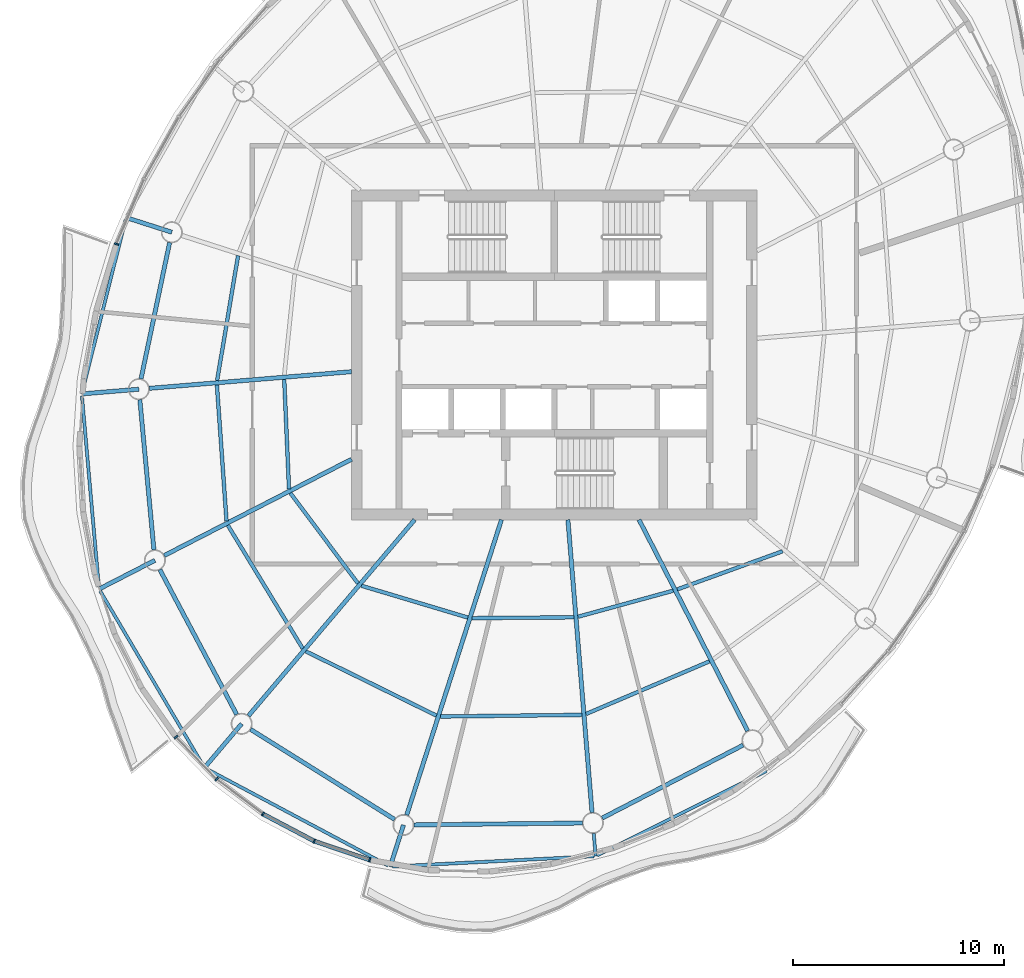
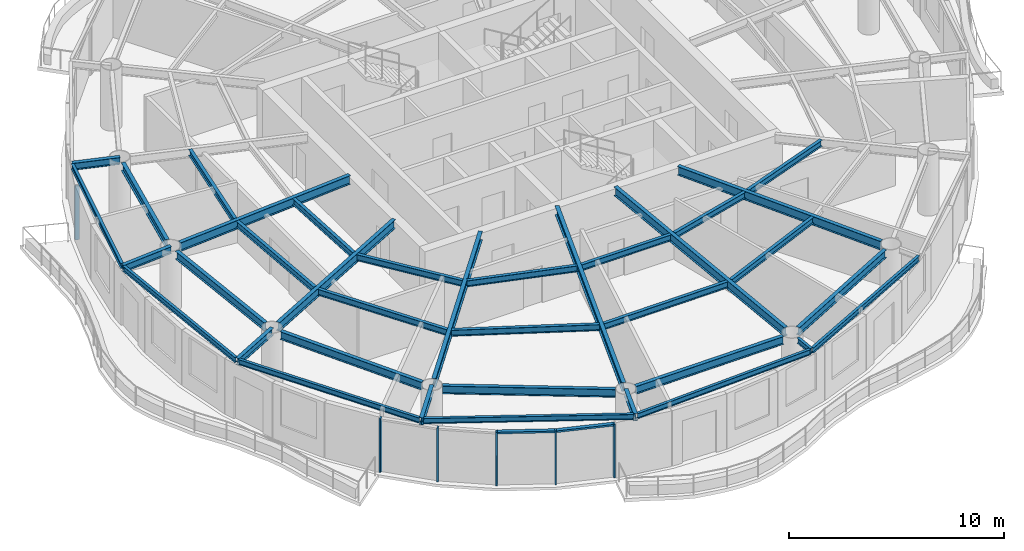
# One storey, part 2 of 14: 36 beams, 8 members, 5 elements without a shape of their own.
"""IFC4 building model written with IfcOpenShell, lengths in metres."""

import ifcopenshell
import ifcopenshell.guid

model = None  # the IFC model being written
_history = None  # IfcOwnerHistory: only IFC2X3 demands one
_inside = {}  # id of a spatial element -> (the spatial element, [elements in it])
_under = {}  # id of a project, library or spatial element -> (it, [spatial elements below it])
_declared = {}  # id of a project -> (the project, [libraries it declares])
_typed = {}  # id of a type object -> (the type object, [elements of that type])
_made_of = {}  # id of a material, layer set ... -> (it, [elements and type objects made of it])


def new_model(schema):
    """Start an empty IFC model of exactly this schema.

    Asked for "IFC4X3", IfcOpenShell would pick the latest addendum, in which some entities
    have other attributes; the version numbers below select the first issue.
    IFC2X3 requires an IfcOwnerHistory on every rooted entity: one is made here for all.
    """
    global model, _history
    if schema == "IFC4X3":
        model = ifcopenshell.file(schema_version=(4, 3, 0, 0))
    else:
        model = ifcopenshell.file(schema=schema)
    _inside.clear()
    _under.clear()
    _declared.clear()
    _typed.clear()
    _made_of.clear()
    _history = None
    if model.schema == "IFC2X3":
        org = make("IfcOrganization", Name="unknown")
        user = make(
            "IfcPersonAndOrganization",
            ThePerson=make("IfcPerson", FamilyName="unknown"),
            TheOrganization=org,
        )
        app = make(
            "IfcApplication",
            ApplicationDeveloper=org,
            Version="unknown",
            ApplicationFullName="unknown",
            ApplicationIdentifier="unknown",
        )
        _history = make(
            "IfcOwnerHistory",
            OwningUser=user,
            OwningApplication=app,
            ChangeAction="ADDED",
            CreationDate=0,
        )
    return model


def make(cls, **values):
    """One entity of the class cls with the attributes given. An attribute that is None is left unset."""
    return model.create_entity(
        cls, **{name: value for name, value in values.items() if value is not None}
    )


def rooted(cls, **values):
    """An entity with a GlobalId (a new one), such as an element, a storey or a relation."""
    return make(cls, GlobalId=ifcopenshell.guid.new(), OwnerHistory=_history, **values)


def si_unit(unit_type, name, prefix=None):
    """IfcSIUnit, for example si_unit("LENGTHUNIT", "METRE", prefix="MILLI")."""
    return make("IfcSIUnit", UnitType=unit_type, Prefix=prefix, Name=name)


def assignment(units):
    """IfcUnitAssignment: the units of a project."""
    return None if units is None else make("IfcUnitAssignment", Units=units)


def point(xyz):
    """IfcCartesianPoint."""
    return None if xyz is None else make("IfcCartesianPoint", Coordinates=xyz)


def direction(xyz):
    """IfcDirection."""
    return None if xyz is None else make("IfcDirection", DirectionRatios=xyz)


def frame(location, z_axis=None, x_axis=None):
    """IfcAxis2Placement3D, a coordinate frame: its origin and axes. An axis left out is left unset."""
    return make(
        "IfcAxis2Placement3D",
        Location=point(location),
        Axis=direction(z_axis),
        RefDirection=direction(x_axis),
    )


def frame_2d(location, x_axis=None):
    """IfcAxis2Placement2D, a coordinate frame in the plane: its origin and x axis."""
    return make(
        "IfcAxis2Placement2D", Location=point(location), RefDirection=direction(x_axis)
    )


def origin():
    """The frame at (0, 0, 0) with its axes left unset."""
    return frame((0.0, 0.0, 0.0))


def origin_2d():
    """The frame at (0, 0) in the plane with its x axis left unset."""
    return frame_2d((0.0, 0.0))


def place(relative_to, where):
    """IfcLocalPlacement: puts the frame where relative to a parent placement (None: the world)."""
    return make(
        "IfcLocalPlacement", PlacementRelTo=relative_to, RelativePlacement=where
    )


def context(
    kind, dimensions, precision=None, world=None, true_north=None, identifier=None
):
    """IfcGeometricRepresentationContext, for example the 3D "Model" context."""
    return make(
        "IfcGeometricRepresentationContext",
        ContextIdentifier=identifier,
        ContextType=kind,
        CoordinateSpaceDimension=dimensions,
        Precision=precision,
        WorldCoordinateSystem=world,
        TrueNorth=true_north,
    )


def subcontext(parent, identifier, kind, view, scale=None):
    """IfcGeometricRepresentationSubContext, for example "Body" below "Model"."""
    return make(
        "IfcGeometricRepresentationSubContext",
        ContextIdentifier=identifier,
        ContextType=kind,
        ParentContext=parent,
        TargetScale=scale,
        TargetView=view,
    )


def project(units=None, contexts=None):
    """IfcProject with its units and contexts."""
    return rooted(
        "IfcProject",
        Name="project",
        RepresentationContexts=contexts,
        UnitsInContext=assignment(units),
    )


def spatial(cls, under=None, at=None, **own):
    """A site, building, storey or space (cls), placed at a placement, below another one or the project."""
    s = rooted(cls, ObjectPlacement=at, **own)
    if under is not None:
        _under.setdefault(under.id(), (under, []))[1].append(s)
    return s


def profile(cls, at=None, kind="AREA", **sizes):
    """A parametric profile (cls). Its sizes go by their IFC names, for example OverallWidth=200.0."""
    return make(cls, ProfileType=kind, Position=at, **sizes)


def rectangle(**sizes):
    """IfcRectangleProfileDef."""
    return profile("IfcRectangleProfileDef", **sizes)


def i_section(**sizes):
    """IfcIShapeProfileDef."""
    return profile("IfcIShapeProfileDef", **sizes)


def extrude(swept, where, along, depth):
    """IfcExtrudedAreaSolid: the profile swept, set in the frame where, extruded along a direction by depth."""
    return make(
        "IfcExtrudedAreaSolid",
        SweptArea=swept,
        Position=where,
        ExtrudedDirection=direction(along),
        Depth=depth,
    )


def shape(context_of_items, identifier, shape_type, items):
    """IfcShapeRepresentation: the items that make up one representation, for example the "Body"."""
    return make(
        "IfcShapeRepresentation",
        ContextOfItems=context_of_items,
        RepresentationIdentifier=identifier,
        RepresentationType=shape_type,
        Items=items,
    )


def material(Name=None, Category=None):
    """IfcMaterial."""
    return make("IfcMaterial", Name=Name, Category=Category)


def material_profile(
    of_material, cross_section, Name=None, Category=None, Priority=None
):
    """IfcMaterialProfile: a cross section and its material."""
    return make(
        "IfcMaterialProfile",
        Name=Name,
        Material=of_material,
        Profile=cross_section,
        Priority=Priority,
        Category=Category,
    )


def profile_set(profiles, Name=None, composite=None):
    """IfcMaterialProfileSet."""
    return make(
        "IfcMaterialProfileSet",
        Name=Name,
        MaterialProfiles=profiles,
        CompositeProfile=composite,
    )


def made_of(thing, what):
    """Note that an element or type object is made of a material, layer set ...; save() writes the relation."""
    if what is not None:
        _made_of.setdefault(what.id(), (what, []))[1].append(thing)
    return thing


def type_object(cls, material=None, **own):
    """A type object (cls), such as IfcWallType, which elements share."""
    return made_of(rooted(cls, **own), material)


def element(
    cls,
    number,
    at=None,
    inside=None,
    cuts=None,
    type_object=None,
    material=None,
    context=None,
    identifier="Body",
    shape_type=None,
    held_by="IfcProductDefinitionShape",
    body=None,
    shapes=None,
    **own,
):
    """One element of the class cls, such as IfcWall. Its Tag is "e" and its number.

    at: its placement. inside: the storey or other place that contains it. cuts: it is an
    opening in that element (IfcRelVoidsElement). A single representation is given by context,
    identifier, shape_type and body (its items); several are given by shapes. held_by: the class
    of the entity that holds the representations. save() writes the other relations.
    """
    e = rooted(cls, Tag="e%d" % number, ObjectPlacement=at, **own)
    if body is not None:
        shapes = [shape(context, identifier, shape_type, body)]
    if shapes is not None:
        e.Representation = make(held_by, Representations=shapes)
    if inside is not None:
        _inside.setdefault(inside.id(), (inside, []))[1].append(e)
    if cuts is not None:
        rooted(
            "IfcRelVoidsElement", RelatingBuildingElement=cuts, RelatedOpeningElement=e
        )
    if type_object is not None:
        _typed.setdefault(type_object.id(), (type_object, []))[1].append(e)
    return made_of(e, material)


def aggregate(whole, parts):
    """IfcRelAggregates: a whole, such as a stair, and the parts it consists of."""
    return rooted("IfcRelAggregates", RelatingObject=whole, RelatedObjects=parts)


def save(model, path):
    """Write the relations noted so far, then the file.

    IfcRelAggregates (storeys below a building ...), IfcRelContainedInSpatialStructure (elements
    in a storey), IfcRelDefinesByType, IfcRelAssociatesMaterial and IfcRelDeclares: one each for
    every whole, place, type object, material and project.
    """
    for whole, parts in _under.values():
        aggregate(whole, parts)
    for where, things in _inside.values():
        rooted(
            "IfcRelContainedInSpatialStructure",
            RelatedElements=things,
            RelatingStructure=where,
        )
    for kind, things in _typed.values():
        rooted("IfcRelDefinesByType", RelatedObjects=things, RelatingType=kind)
    for what, things in _made_of.values():
        rooted("IfcRelAssociatesMaterial", RelatedObjects=things, RelatingMaterial=what)
    for by, libraries in _declared.values():
        rooted("IfcRelDeclares", RelatingContext=by, RelatedDefinitions=libraries)
    model.write(path)


model = new_model("IFC4")

# Units and contexts
model_context = context("Model", 3, precision=1e-05, world=origin(), true_north=direction((0.0, 1.0)))
body_context = subcontext(model_context, "Body", "Model", "MODEL_VIEW")
ifc_project = project(units=[si_unit("LENGTHUNIT", "METRE"), si_unit("AREAUNIT", "SQUARE_METRE"), si_unit("VOLUMEUNIT", "CUBIC_METRE"), si_unit("PLANEANGLEUNIT", "RADIAN"), si_unit("MASSUNIT", "GRAM", prefix="KILO")], contexts=[model_context])

# Site, building, storey
site_placement = place(None, origin())
site = spatial("IfcSite", under=ifc_project, at=site_placement, CompositionType="ELEMENT")
building_placement = place(site_placement, origin())
building = spatial("IfcBuilding", under=site, at=building_placement, Name="Vermilion Reach Broadcast Tower", CompositionType="ELEMENT")
storey_placement = place(building_placement, frame((0.0, 0.0, 264.89990234375)))
storey = spatial("IfcBuildingStorey", under=building, at=storey_placement, Name="L65", CompositionType="ELEMENT", Elevation=264.89990234375)

# Beams
ifc_material_1 = material(Name="Steel S355J2", Category="steel")
ifc_material_profile_1 = material_profile(ifc_material_1, i_section(OverallWidth=0.14990234375, OverallDepth=0.300048828125, WebThickness=0.006591796875, FlangeThickness=0.009033203125, at=origin_2d()), Name="S355J2 HN 300x150x6.5x9")
ifc_profile_set_1 = profile_set([ifc_material_profile_1], Name="Steel S355J2")
beam_type_1 = type_object("IfcBeamType", Name="EB5 HN 300x150x6.5x9", PredefinedType="BEAM", material=ifc_profile_set_1)
beam_1_placement = place(storey_placement, frame((-26.293701171875, 6.40673828125, 3.300048828125), z_axis=(-0.243855135103, -0.969811668874, 0.0), x_axis=(0.969811668874, -0.243855135103, 0.0)))
element("IfcBeam", 1, at=beam_1_placement, inside=storey, type_object=beam_type_1, Name="Edge beam EB5-05", PredefinedType="BEAM", context=body_context, shape_type="SweptSolid", body=[
    extrude(i_section(OverallWidth=0.14990234375, OverallDepth=0.300048828125, WebThickness=0.006591796875, FlangeThickness=0.009033203125, at=origin_2d()), origin(), (0.0, 0.0, 1.0), 8.40087890625),
])
beam_2_placement = place(storey_placement, frame((-28.359375, -1.942626953125, 3.300048828125), z_axis=(0.088284450679, -0.996095304561, 0.0), x_axis=(0.996095304561, 0.088284450679, 0.0)))
element("IfcBeam", 2, at=beam_2_placement, inside=storey, type_object=beam_type_1, Name="Edge beam EB5-06", PredefinedType="BEAM", context=body_context, shape_type="SweptSolid", body=[
    extrude(i_section(OverallWidth=0.14990234375, OverallDepth=0.300048828125, WebThickness=0.006591796875, FlangeThickness=0.009033203125, at=origin_2d()), origin(), (0.0, 0.0, 1.0), 9.06494140625),
])
beam_3_placement = place(storey_placement, frame((-27.49853515625, -11.166015625, 3.300048828125), z_axis=(0.507958925358, -0.861381291966, 0.0), x_axis=(0.861381291966, 0.507958925358, 0.0)))
element("IfcBeam", 3, at=beam_3_placement, inside=storey, type_object=beam_type_1, Name="Edge beam EB5-07", PredefinedType="BEAM", context=body_context, shape_type="SweptSolid", body=[
    extrude(i_section(OverallWidth=0.14990234375, OverallDepth=0.300048828125, WebThickness=0.006591796875, FlangeThickness=0.009033203125, at=origin_2d()), origin(), (0.0, 0.0, 1.0), 9.611572265625),
])
beam_4_placement = place(storey_placement, frame((-22.47216796875, -19.584716796875, 3.300048828125), z_axis=(0.882703900247, -0.469929595247, 0.0), x_axis=(0.469929595247, 0.882703900247, 0.0)))
element("IfcBeam", 4, at=beam_4_placement, inside=storey, type_object=beam_type_1, Name="Edge beam EB5-08", PredefinedType="BEAM", context=body_context, shape_type="SweptSolid", body=[
    extrude(i_section(OverallWidth=0.14990234375, OverallDepth=0.300048828125, WebThickness=0.006591796875, FlangeThickness=0.009033203125, at=origin_2d()), origin(), (0.0, 0.0, 1.0), 9.756103515625),
])
beam_5_placement = place(storey_placement, frame((-13.663818359375, -24.211669921875, 3.300048828125), z_axis=(0.998715758039, 0.050663938301, 0.0), x_axis=(-0.050663938301, 0.998715758039, 0.0)))
element("IfcBeam", 5, at=beam_5_placement, inside=storey, type_object=beam_type_1, Name="Edge beam EB5-09", PredefinedType="BEAM", context=body_context, shape_type="SweptSolid", body=[
    extrude(i_section(OverallWidth=0.14990234375, OverallDepth=0.300048828125, WebThickness=0.006591796875, FlangeThickness=0.009033203125, at=origin_2d()), origin(), (0.0, 0.0, 1.0), 9.5556640625),
])
beam_6_placement = place(storey_placement, frame((-3.97314453125, -23.687744140625, 3.300048828125), z_axis=(0.894677889478, 0.446711846809, 0.0), x_axis=(-0.446711846809, 0.894677889478, 0.0)))
element("IfcBeam", 6, at=beam_6_placement, inside=storey, type_object=beam_type_1, Name="Edge beam EB5-10", PredefinedType="BEAM", context=body_context, shape_type="SweptSolid", body=[
    extrude(i_section(OverallWidth=0.14990234375, OverallDepth=0.300048828125, WebThickness=0.006591796875, FlangeThickness=0.009033203125, at=origin_2d()), origin(), (0.0, 0.0, 1.0), 8.954345703125),
])
ifc_material_2 = material(Name="Steel S355J2", Category="steel")
ifc_material_profile_2 = material_profile(ifc_material_2, i_section(OverallWidth=0.199951171875, OverallDepth=0.5, WebThickness=0.010009765625, FlangeThickness=0.01611328125, at=origin_2d()), Name="S355J2 HN 500x200x10x16")
ifc_profile_set_2 = profile_set([ifc_material_profile_2], Name="Steel S355J2")
beam_type_2 = type_object("IfcBeamType", Name="G5 HN 500x200x10x16", PredefinedType="BEAM", material=ifc_profile_set_2)
beam_7_placement = place(storey_placement, frame((-15.60009765625, -0.791015625, 3.2001953125), z_axis=(-0.996624410075, -0.082096195058, 0.0), x_axis=(0.082096195058, -0.996624410075, 0.0)))
element("IfcBeam", 7, at=beam_7_placement, inside=storey, type_object=beam_type_2, Name="Girder G5-06", PredefinedType="BEAM", context=body_context, shape_type="SweptSolid", body=[
    extrude(i_section(OverallWidth=0.199951171875, OverallDepth=0.5, WebThickness=0.010009765625, FlangeThickness=0.01611328125, at=origin_2d()), origin(), (0.0, 0.0, 1.0), 9.599609375),
])
beam_8_placement = place(storey_placement, frame((-15.60009765625, -4.935791015625, 3.2001953125), z_axis=(-0.889332502449, -0.457261085254, 0.0), x_axis=(0.457261085254, -0.889332502449, 0.0)))
element("IfcBeam", 8, at=beam_8_placement, inside=storey, type_object=beam_type_2, Name="Girder G5-07", PredefinedType="BEAM", context=body_context, shape_type="SweptSolid", body=[
    extrude(i_section(OverallWidth=0.199951171875, OverallDepth=0.5, WebThickness=0.010009765625, FlangeThickness=0.01611328125, at=origin_2d()), origin(), (0.0, 0.0, 1.0), 9.96337890625),
])
beam_9_placement = place(storey_placement, frame((-12.612548828125, -7.800048828125, 3.2001953125), z_axis=(-0.646658335602, -0.762779782766, 0.0), x_axis=(0.762779782766, -0.646658335602, 0.0)))
element("IfcBeam", 9, at=beam_9_placement, inside=storey, type_object=beam_type_2, Name="Girder G5-08", PredefinedType="BEAM", context=body_context, shape_type="SweptSolid", body=[
    extrude(i_section(OverallWidth=0.199951171875, OverallDepth=0.5, WebThickness=0.010009765625, FlangeThickness=0.01611328125, at=origin_2d()), origin(), (0.0, 0.0, 1.0), 12.16064453125),
])
beam_10_placement = place(storey_placement, frame((-8.502685546875, -7.800048828125, 3.2001953125), z_axis=(-0.305545401295, -0.952177508528, 0.0), x_axis=(0.952177508528, -0.305545401295, 0.0)))
element("IfcBeam", 10, at=beam_10_placement, inside=storey, type_object=beam_type_2, Name="Girder G5-09", PredefinedType="BEAM", context=body_context, shape_type="SweptSolid", body=[
    extrude(i_section(OverallWidth=0.199951171875, OverallDepth=0.5, WebThickness=0.010009765625, FlangeThickness=0.01611328125, at=origin_2d()), origin(), (0.0, 0.0, 1.0), 14.672607421875),
])
beam_11_placement = place(storey_placement, frame((-5.357421875, -7.800048828125, 3.2001953125), z_axis=(0.082123744247, -0.996622140347, 0.0), x_axis=(0.996622140347, 0.082123744247, 0.0)))
element("IfcBeam", 11, at=beam_11_placement, inside=storey, type_object=beam_type_2, Name="Girder G5-10", PredefinedType="BEAM", context=body_context, shape_type="SweptSolid", body=[
    extrude(i_section(OverallWidth=0.199951171875, OverallDepth=0.5, WebThickness=0.010009765625, FlangeThickness=0.01611328125, at=origin_2d()), origin(), (0.0, 0.0, 1.0), 13.89794921875),
])
beam_12_placement = place(storey_placement, frame((-1.989501953125, -7.800048828125, 3.2001953125), z_axis=(0.457258168112, -0.889334002327, 0.0), x_axis=(0.889334002327, 0.457258168112, 0.0)))
element("IfcBeam", 12, at=beam_12_placement, inside=storey, type_object=beam_type_2, Name="Girder G5-11", PredefinedType="BEAM", context=body_context, shape_type="SweptSolid", body=[
    extrude(i_section(OverallWidth=0.199951171875, OverallDepth=0.5, WebThickness=0.010009765625, FlangeThickness=0.01611328125, at=origin_2d()), origin(), (0.0, 0.0, 1.0), 11.236328125),
])
ifc_material_3 = material(Name="Steel S355J2", Category="steel")
ifc_material_profile_3 = material_profile(ifc_material_3, i_section(OverallWidth=0.199951171875, OverallDepth=0.39990234375, WebThickness=0.008056640625, FlangeThickness=0.012939453125, at=origin_2d()), Name="S355J2 HN 400x200x8x13")
ifc_profile_set_3 = profile_set([ifc_material_profile_3], Name="Steel S355J2")
beam_type_3 = type_object("IfcBeamType", Name="GC5 HN 400x200x8x13", PredefinedType="BEAM", material=ifc_profile_set_3)
beam_13_placement = place(storey_placement, frame((-24.10595703125, 5.809814453125, 3.25), z_axis=(-0.952190547284, 0.305504765368, 0.0), x_axis=(-0.305504765368, -0.952190547284, 0.0)))
element("IfcBeam", 13, at=beam_13_placement, inside=storey, type_object=beam_type_3, Name="Cantilever girder GC5-05", PredefinedType="BEAM", context=body_context, shape_type="SweptSolid", body=[
    extrude(i_section(OverallWidth=0.199951171875, OverallDepth=0.39990234375, WebThickness=0.008056640625, FlangeThickness=0.012939453125, at=origin_2d()), origin(), (0.0, 0.0, 1.0), 2.27197265625),
])
beam_14_placement = place(storey_placement, frame((-25.665771484375, -1.620361328125, 3.25), z_axis=(-0.996622941337, -0.082114023173, 0.0), x_axis=(0.082114023173, -0.996622941337, 0.0)))
element("IfcBeam", 14, at=beam_14_placement, inside=storey, type_object=beam_type_3, Name="Cantilever girder GC5-06", PredefinedType="BEAM", context=body_context, shape_type="SweptSolid", body=[
    extrude(i_section(OverallWidth=0.199951171875, OverallDepth=0.39990234375, WebThickness=0.008056640625, FlangeThickness=0.012939453125, at=origin_2d()), origin(), (0.0, 0.0, 1.0), 2.711669921875),
])
beam_15_placement = place(storey_placement, frame((-24.905517578125, -9.72021484375, 3.25), z_axis=(-0.8893278804, -0.457270074621, 0.0), x_axis=(0.457270074621, -0.8893278804, 0.0)))
element("IfcBeam", 15, at=beam_15_placement, inside=storey, type_object=beam_type_3, Name="Cantilever girder GC5-07", PredefinedType="BEAM", context=body_context, shape_type="SweptSolid", body=[
    extrude(i_section(OverallWidth=0.199951171875, OverallDepth=0.39990234375, WebThickness=0.008056640625, FlangeThickness=0.012939453125, at=origin_2d()), origin(), (0.0, 0.0, 1.0), 2.972900390625),
])
beam_16_placement = place(storey_placement, frame((-20.799560546875, -17.457275390625, 3.25), z_axis=(-0.646688649709, -0.762754082478, 0.0), x_axis=(0.762754082478, -0.646688649709, 0.0)))
element("IfcBeam", 16, at=beam_16_placement, inside=storey, type_object=beam_type_3, Name="Cantilever girder GC5-08", PredefinedType="BEAM", context=body_context, shape_type="SweptSolid", body=[
    extrude(i_section(OverallWidth=0.199951171875, OverallDepth=0.39990234375, WebThickness=0.008056640625, FlangeThickness=0.012939453125, at=origin_2d()), origin(), (0.0, 0.0, 1.0), 2.72607421875),
])
beam_17_placement = place(storey_placement, frame((-13.138427734375, -22.2470703125, 3.25), z_axis=(-0.305516380969, -0.952186820409, 0.0), x_axis=(0.952186820409, -0.305516380969, 0.0)))
element("IfcBeam", 17, at=beam_17_placement, inside=storey, type_object=beam_type_3, Name="Cantilever girder GC5-09", PredefinedType="BEAM", context=body_context, shape_type="SweptSolid", body=[
    extrude(i_section(OverallWidth=0.199951171875, OverallDepth=0.39990234375, WebThickness=0.008056640625, FlangeThickness=0.012939453125, at=origin_2d()), origin(), (0.0, 0.0, 1.0), 2.06884765625),
])
ifc_material_4 = material(Name="Steel S355J2", Category="steel")
ifc_material_profile_4 = material_profile(ifc_material_4, i_section(OverallWidth=0.14990234375, OverallDepth=0.300048828125, WebThickness=0.006591796875, FlangeThickness=0.009033203125, at=origin_2d()), Name="S355J2 HN 300x150x6.5x9")
ifc_profile_set_4 = profile_set([ifc_material_profile_4], Name="Steel S355J2")
beam_type_4 = type_object("IfcBeamType", Name="GS5 HN 300x150x6.5x9", PredefinedType="BEAM", material=ifc_profile_set_4)
beam_18_placement = place(storey_placement, frame((-4.134033203125, -22.647705078125, 3.300048828125), z_axis=(0.082072452518, -0.996626365564, 0.0), x_axis=(0.996626365564, 0.082072452518, 0.0)))
element("IfcBeam", 18, at=beam_18_placement, inside=storey, type_object=beam_type_4, Name="Cantilever stub GS5-10", PredefinedType="BEAM", context=body_context, shape_type="SweptSolid", body=[
    extrude(i_section(OverallWidth=0.14990234375, OverallDepth=0.300048828125, WebThickness=0.006591796875, FlangeThickness=0.009033203125, at=origin_2d()), origin(), (0.0, 0.0, 1.0), 1.079833984375),
])
ifc_material_5 = material(Name="Steel S355J2", Category="steel")
ifc_material_profile_5 = material_profile(ifc_material_5, i_section(OverallWidth=0.199951171875, OverallDepth=0.449951171875, WebThickness=0.009033203125, FlangeThickness=0.013916015625, at=origin_2d()), Name="S355J2 HN 450x200x9x14")
ifc_profile_set_5 = profile_set([ifc_material_profile_5], Name="Steel S355J2")
beam_type_5 = type_object("IfcBeamType", Name="RB5 HN 450x200x9x14", PredefinedType="BEAM", material=ifc_profile_set_5)
beam_19_placement = place(storey_placement, frame((-24.208740234375, 5.3203125, 3.22509765625), z_axis=(-0.205444869285, -0.978668690459, 0.0), x_axis=(0.978668690459, -0.205444869285, 0.0)))
element("IfcBeam", 19, at=beam_19_placement, inside=storey, type_object=beam_type_5, Name="Ring beam RB5-05", PredefinedType="BEAM", context=body_context, shape_type="SweptSolid", body=[
    extrude(i_section(OverallWidth=0.199951171875, OverallDepth=0.449951171875, WebThickness=0.009033203125, FlangeThickness=0.013916015625, at=origin_2d()), origin(), (0.0, 0.0, 1.0), 6.591796875),
])
beam_20_placement = place(storey_placement, frame((-25.618896484375, -2.1181640625, 3.22509765625), z_axis=(0.093441399272, -0.995624781181, 0.0), x_axis=(0.995624781181, 0.093441399272, 0.0)))
element("IfcBeam", 20, at=beam_20_placement, inside=storey, type_object=beam_type_5, Name="Ring beam RB5-06", PredefinedType="BEAM", context=body_context, shape_type="SweptSolid", body=[
    extrude(i_section(OverallWidth=0.199951171875, OverallDepth=0.449951171875, WebThickness=0.009033203125, FlangeThickness=0.013916015625, at=origin_2d()), origin(), (0.0, 0.0, 1.0), 7.135498046875),
])
beam_21_placement = place(storey_placement, frame((-24.671142578125, -10.161865234375, 3.22509765625), z_axis=(0.468767917375, -0.883321368269, 0.0), x_axis=(0.883321368269, 0.468767917375, 0.0)))
element("IfcBeam", 21, at=beam_21_placement, inside=storey, type_object=beam_type_5, Name="Ring beam RB5-07", PredefinedType="BEAM", context=body_context, shape_type="SweptSolid", body=[
    extrude(i_section(OverallWidth=0.199951171875, OverallDepth=0.449951171875, WebThickness=0.009033203125, FlangeThickness=0.013916015625, at=origin_2d()), origin(), (0.0, 0.0, 1.0), 7.759033203125),
])
beam_22_placement = place(storey_placement, frame((-20.375732421875, -17.722412109375, 3.22509765625), z_axis=(0.847914653245, -0.530132757724, 0.0), x_axis=(0.530132757724, 0.847914653245, 0.0)))
element("IfcBeam", 22, at=beam_22_placement, inside=storey, type_object=beam_type_5, Name="Ring beam RB5-08", PredefinedType="BEAM", context=body_context, shape_type="SweptSolid", body=[
    extrude(i_section(OverallWidth=0.199951171875, OverallDepth=0.449951171875, WebThickness=0.009033203125, FlangeThickness=0.013916015625, at=origin_2d()), origin(), (0.0, 0.0, 1.0), 8.035400390625),
])
beam_23_placement = place(storey_placement, frame((-12.638427734375, -22.24169921875, 3.22509765625), z_axis=(0.999940445231, 0.010913569149, 0.0), x_axis=(-0.010913569149, 0.999940445231, 0.0)))
element("IfcBeam", 23, at=beam_23_placement, inside=storey, type_object=beam_type_5, Name="Ring beam RB5-09", PredefinedType="BEAM", context=body_context, shape_type="SweptSolid", body=[
    extrude(i_section(OverallWidth=0.199951171875, OverallDepth=0.449951171875, WebThickness=0.009033203125, FlangeThickness=0.013916015625, at=origin_2d()), origin(), (0.0, 0.0, 1.0), 7.9638671875),
])
beam_24_placement = place(storey_placement, frame((-3.731201171875, -21.91943359375, 3.22509765625), z_axis=(0.887960248279, 0.459920207729, 0.0), x_axis=(-0.459920207729, 0.887960248279, 0.0)))
element("IfcBeam", 24, at=beam_24_placement, inside=storey, type_object=beam_type_5, Name="Ring beam RB5-10", PredefinedType="BEAM", context=body_context, shape_type="SweptSolid", body=[
    extrude(i_section(OverallWidth=0.199951171875, OverallDepth=0.449951171875, WebThickness=0.009033203125, FlangeThickness=0.013916015625, at=origin_2d()), origin(), (0.0, 0.0, 1.0), 7.5048828125),
])
ifc_material_6 = material(Name="Steel S355J2", Category="steel")
ifc_material_profile_6 = material_profile(ifc_material_6, i_section(OverallWidth=0.175048828125, OverallDepth=0.35009765625, WebThickness=0.007080078125, FlangeThickness=0.010986328125, at=origin_2d()), Name="S355J2 HN 350x175x7x11")
ifc_profile_set_6 = profile_set([ifc_material_profile_6], Name="Steel S355J2")
beam_type_6 = type_object("IfcBeamType", Name="SB5 HN 350x175x7x11", PredefinedType="BEAM", material=ifc_profile_set_6)
beam_25_placement = place(storey_placement, frame((-20.969970703125, 4.698486328125, 3.275146484375), z_axis=(-0.16532337011, -0.986239414795, 0.0), x_axis=(0.986239414795, -0.16532337011, 0.0)))
element("IfcBeam", 25, at=beam_25_placement, inside=storey, type_object=beam_type_6, Name="Secondary beam SB5-05-2", PredefinedType="BEAM", context=body_context, shape_type="SweptSolid", body=[
    extrude(i_section(OverallWidth=0.175048828125, OverallDepth=0.35009765625, WebThickness=0.007080078125, FlangeThickness=0.010986328125, at=origin_2d()), origin(), (0.0, 0.0, 1.0), 5.99560546875),
])
beam_26_placement = place(storey_placement, frame((-18.78466796875, -1.153564453125, 3.275146484375), z_axis=(0.043557530017, -0.999050920413, 0.0), x_axis=(0.999050920413, 0.043557530017, 0.0)))
element("IfcBeam", 26, at=beam_26_placement, inside=storey, type_object=beam_type_6, Name="Secondary beam SB5-06-1", PredefinedType="BEAM", context=body_context, shape_type="SweptSolid", body=[
    extrude(i_section(OverallWidth=0.175048828125, OverallDepth=0.35009765625, WebThickness=0.007080078125, FlangeThickness=0.010986328125, at=origin_2d()), origin(), (0.0, 0.0, 1.0), 5.19580078125),
])
beam_27_placement = place(storey_placement, frame((-21.97119140625, -1.416259765625, 3.275146484375), z_axis=(0.070586780458, -0.997505642302, 0.0), x_axis=(0.997505642302, 0.070586780458, 0.0)))
element("IfcBeam", 27, at=beam_27_placement, inside=storey, type_object=beam_type_6, Name="Secondary beam SB5-06-2", PredefinedType="BEAM", context=body_context, shape_type="SweptSolid", body=[
    extrude(i_section(OverallWidth=0.175048828125, OverallDepth=0.35009765625, WebThickness=0.007080078125, FlangeThickness=0.010986328125, at=origin_2d()), origin(), (0.0, 0.0, 1.0), 6.46435546875),
])
beam_28_placement = place(storey_placement, frame((-18.492919921875, -6.53564453125, 3.275146484375), z_axis=(0.599055582645, -0.800707442767, 0.0), x_axis=(0.800707442767, 0.599055582645, 0.0)))
element("IfcBeam", 28, at=beam_28_placement, inside=storey, type_object=beam_type_6, Name="Secondary beam SB5-07-1", PredefinedType="BEAM", context=body_context, shape_type="SweptSolid", body=[
    extrude(i_section(OverallWidth=0.175048828125, OverallDepth=0.35009765625, WebThickness=0.007080078125, FlangeThickness=0.010986328125, at=origin_2d()), origin(), (0.0, 0.0, 1.0), 5.337890625),
])
beam_29_placement = place(storey_placement, frame((-21.455078125, -8.058837890625, 3.275146484375), z_axis=(0.519272962556, -0.854608442714, 0.0), x_axis=(0.854608442714, 0.519272962556, 0.0)))
element("IfcBeam", 29, at=beam_29_placement, inside=storey, type_object=beam_type_6, Name="Secondary beam SB5-07-2", PredefinedType="BEAM", context=body_context, shape_type="SweptSolid", body=[
    extrude(i_section(OverallWidth=0.175048828125, OverallDepth=0.35009765625, WebThickness=0.007080078125, FlangeThickness=0.010986328125, at=origin_2d()), origin(), (0.0, 0.0, 1.0), 6.82763671875),
])
beam_30_placement = place(storey_placement, frame((-15.129150390625, -10.92333984375, 3.275146484375), z_axis=(0.958124906971, -0.286350593925, 0.0), x_axis=(0.286350593925, 0.958124906971, 0.0)))
element("IfcBeam", 30, at=beam_30_placement, inside=storey, type_object=beam_type_6, Name="Secondary beam SB5-08-1", PredefinedType="BEAM", context=body_context, shape_type="SweptSolid", body=[
    extrude(i_section(OverallWidth=0.175048828125, OverallDepth=0.35009765625, WebThickness=0.007080078125, FlangeThickness=0.010986328125, at=origin_2d()), origin(), (0.0, 0.0, 1.0), 5.25634765625),
])
beam_31_placement = place(storey_placement, frame((-17.762451171875, -14.029541015625, 3.275146484375), z_axis=(0.897335928087, -0.441348198325, 0.0), x_axis=(0.441348198325, 0.897335928087, 0.0)))
element("IfcBeam", 31, at=beam_31_placement, inside=storey, type_object=beam_type_6, Name="Secondary beam SB5-08-2", PredefinedType="BEAM", context=body_context, shape_type="SweptSolid", body=[
    extrude(i_section(OverallWidth=0.175048828125, OverallDepth=0.35009765625, WebThickness=0.007080078125, FlangeThickness=0.010986328125, at=origin_2d()), origin(), (0.0, 0.0, 1.0), 6.887451171875),
])
beam_32_placement = place(storey_placement, frame((-9.891845703125, -12.4560546875, 3.275146484375), z_axis=(0.999968312294, 0.007960804474, 0.0), x_axis=(-0.007960804474, 0.999968312294, 0.0)))
element("IfcBeam", 32, at=beam_32_placement, inside=storey, type_object=beam_type_6, Name="Secondary beam SB5-09-1", PredefinedType="BEAM", context=body_context, shape_type="SweptSolid", body=[
    extrude(i_section(OverallWidth=0.175048828125, OverallDepth=0.35009765625, WebThickness=0.007080078125, FlangeThickness=0.010986328125, at=origin_2d()), origin(), (0.0, 0.0, 1.0), 4.81494140625),
])
beam_33_placement = place(storey_placement, frame((-11.385986328125, -17.11279296875, 3.275146484375), z_axis=(0.999932654133, 0.011605481368, 0.0), x_axis=(-0.011605481368, 0.999932654133, 0.0)))
element("IfcBeam", 33, at=beam_33_placement, inside=storey, type_object=beam_type_6, Name="Secondary beam SB5-09-2", PredefinedType="BEAM", context=body_context, shape_type="SweptSolid", body=[
    extrude(i_section(OverallWidth=0.175048828125, OverallDepth=0.35009765625, WebThickness=0.007080078125, FlangeThickness=0.010986328125, at=origin_2d()), origin(), (0.0, 0.0, 1.0), 6.689697265625),
])
beam_34_placement = place(storey_placement, frame((-4.87890625, -12.39013671875, 3.275146484375), z_axis=(0.964547496851, 0.263909314573, 0.0), x_axis=(-0.263909314573, 0.964547496851, 0.0)))
element("IfcBeam", 34, at=beam_34_placement, inside=storey, type_object=beam_type_6, Name="Secondary beam SB5-10-1", PredefinedType="BEAM", context=body_context, shape_type="SweptSolid", body=[
    extrude(i_section(OverallWidth=0.175048828125, OverallDepth=0.35009765625, WebThickness=0.007080078125, FlangeThickness=0.010986328125, at=origin_2d()), origin(), (0.0, 0.0, 1.0), 4.6689453125),
])
beam_35_placement = place(storey_placement, frame((-4.49951171875, -16.99267578125, 3.275146484375), z_axis=(0.919880986172, 0.392197617637, 0.0), x_axis=(-0.392197617637, 0.919880986172, 0.0)))
element("IfcBeam", 35, at=beam_35_placement, inside=storey, type_object=beam_type_6, Name="Secondary beam SB5-10-2", PredefinedType="BEAM", context=body_context, shape_type="SweptSolid", body=[
    extrude(i_section(OverallWidth=0.175048828125, OverallDepth=0.35009765625, WebThickness=0.007080078125, FlangeThickness=0.010986328125, at=origin_2d()), origin(), (0.0, 0.0, 1.0), 6.351806640625),
])
beam_36_placement = place(storey_placement, frame((-0.18212890625, -11.0966796875, 3.275146484375), z_axis=(0.940220108875, 0.340567389613, 0.0), x_axis=(-0.340567389613, 0.940220108875, 0.0)))
element("IfcBeam", 36, at=beam_36_placement, inside=storey, type_object=beam_type_6, Name="Secondary beam SB5-11-1", PredefinedType="BEAM", context=body_context, shape_type="SweptSolid", body=[
    extrude(i_section(OverallWidth=0.175048828125, OverallDepth=0.35009765625, WebThickness=0.007080078125, FlangeThickness=0.010986328125, at=origin_2d()), origin(), (0.0, 0.0, 1.0), 5.303466796875),
])

# Curtain wall, member
ifc_material_7 = material(Name="Low-e laminated clear glass in aluminium frame", Category="aluminium")
curtain_wall_type = type_object("IfcCurtainWallType", Name="Slot curtain wall", PredefinedType="NOTDEFINED", material=ifc_material_7)
placement = place(storey_placement, origin())
curtain_wall_1 = element("IfcCurtainWall", 37, at=placement, inside=storey, type_object=curtain_wall_type, Name="Slot curtain wall L65 13", PredefinedType="NOTDEFINED")
ifc_material_8 = material(Name="Anodised aluminium", Category="aluminium")
ifc_material_profile_7 = material_profile(ifc_material_8, rectangle(XDim=0.199951171875, YDim=0.080078125, at=origin_2d()), Name="Slot mullion 80 x 200")
ifc_profile_set_7 = profile_set([ifc_material_profile_7], Name="Anodised aluminium")
member_type_1 = type_object("IfcMemberType", Name="Slot mullion 80 x 200", PredefinedType="MULLION", material=ifc_profile_set_7)
member_1_placement = place(storey_placement, frame((-26.727783203125, 5.249755859375, 0.0), z_axis=(0.0, 0.0, 1.0), x_axis=(0.939698523763, -0.342003924593, 0.0)))
member_1 = element("IfcMember", 38, at=member_1_placement, type_object=member_type_1, Name="Slot mullion L65 14", PredefinedType="MULLION", context=body_context, shape_type="SweptSolid", body=[
    extrude(rectangle(XDim=0.199951171875, YDim=0.080078125, at=origin_2d()), origin(), (0.0, 0.0, 1.0), 3.050048828125),
])
aggregate(curtain_wall_1, [member_1])

curtain_wall_2 = element("IfcCurtainWall", 39, at=placement, inside=storey, type_object=curtain_wall_type, Name="Slot curtain wall L65 22", PredefinedType="NOTDEFINED")
member_2_placement = place(storey_placement, frame((-23.9052734375, -18.083251953125, 0.0), z_axis=(0.0, 0.0, 1.0), x_axis=(0.771330080329, 0.636435312644, 0.0)))
member_2 = element("IfcMember", 40, at=member_2_placement, type_object=member_type_1, Name="Slot mullion L65 22", PredefinedType="MULLION", context=body_context, shape_type="SweptSolid", body=[
    extrude(rectangle(XDim=0.199951171875, YDim=0.080078125, at=origin_2d()), origin(), (0.0, 0.0, 1.0), 3.050048828125),
])
aggregate(curtain_wall_2, [member_2])

curtain_wall_3 = element("IfcCurtainWall", 41, at=placement, inside=storey, type_object=curtain_wall_type, Name="Slot curtain wall L65 23", PredefinedType="NOTDEFINED")
member_3_placement = place(storey_placement, frame((-21.98291015625, -20.076904296875, 0.0), z_axis=(0.0, 0.0, 1.0), x_axis=(0.662736439302, 0.748852730529, 0.0)))
member_3 = element("IfcMember", 42, at=member_3_placement, type_object=member_type_1, Name="Slot mullion L65 23", PredefinedType="MULLION", context=body_context, shape_type="SweptSolid", body=[
    extrude(rectangle(XDim=0.199951171875, YDim=0.080078125, at=origin_2d()), origin(), (0.0, 0.0, 1.0), 3.050048828125),
])
aggregate(curtain_wall_3, [member_3])

curtain_wall_4 = element("IfcCurtainWall", 43, at=placement, inside=storey, type_object=curtain_wall_type, Name="Slot curtain wall L65 24", PredefinedType="NOTDEFINED")
member_4_placement = place(storey_placement, frame((-19.789306640625, -21.728515625, 0.0), z_axis=(0.0, 0.0, 1.0), x_axis=(0.535826855265, 0.844327887243, 0.0)))
member_4 = element("IfcMember", 44, at=member_4_placement, type_object=member_type_1, Name="Slot mullion L65 24", PredefinedType="MULLION", context=body_context, shape_type="SweptSolid", body=[
    extrude(rectangle(XDim=0.199951171875, YDim=0.080078125, at=origin_2d()), origin(), (0.0, 0.0, 1.0), 3.050048828125),
])

# Curtain wall, members
curtain_wall_5 = element("IfcCurtainWall", 45, at=placement, inside=storey, type_object=curtain_wall_type, Name="Slot curtain wall L65 25", PredefinedType="NOTDEFINED")
member_5_placement = place(storey_placement, frame((-17.361083984375, -23.01025390625, 0.0), z_axis=(0.0, 0.0, 1.0), x_axis=(0.395402721494, 0.91850785943, 0.0)))
member_5 = element("IfcMember", 46, at=member_5_placement, type_object=member_type_1, Name="Slot mullion L65 25", PredefinedType="MULLION", context=body_context, shape_type="SweptSolid", body=[
    extrude(rectangle(XDim=0.199951171875, YDim=0.080078125, at=origin_2d()), origin(), (0.0, 0.0, 1.0), 3.050048828125),
])
member_6_placement = place(storey_placement, frame((-14.738525390625, -23.900634765625, 0.0), z_axis=(0.0, 0.0, 1.0), x_axis=(0.247447420309, 0.968901323243, 0.0)))
member_6 = element("IfcMember", 47, at=member_6_placement, type_object=member_type_1, Name="Slot mullion L65 26", PredefinedType="MULLION", context=body_context, shape_type="SweptSolid", body=[
    extrude(rectangle(XDim=0.199951171875, YDim=0.080078125, at=origin_2d()), origin(), (0.0, 0.0, 1.0), 3.050048828125),
])

# Member
ifc_material_9 = material(Name="Anodised aluminium", Category="aluminium")
ifc_material_profile_8 = material_profile(ifc_material_9, rectangle(XDim=0.199951171875, YDim=0.10009765625, at=origin_2d()), Name="Slot transom 200 x 100")
ifc_profile_set_8 = profile_set([ifc_material_profile_8], Name="Anodised aluminium")
member_type_2 = type_object("IfcMemberType", Name="Slot transom 200 x 100", PredefinedType="USERDEFINED", material=ifc_profile_set_8)
member_7_placement = place(storey_placement, frame((-19.75390625, -21.7470703125, 3.0), z_axis=(0.884355346262, -0.466814333047, 0.0), x_axis=(0.466814333047, 0.884355346262, 0.0)))
member_7 = element("IfcMember", 48, at=member_7_placement, type_object=member_type_2, Name="Slot transom L65 24.1", ObjectType="TRANSOM", PredefinedType="USERDEFINED", context=body_context, shape_type="SweptSolid", body=[
    extrude(rectangle(XDim=0.199951171875, YDim=0.10009765625, at=origin_2d()), origin(), (0.0, 0.0, 1.0), 2.665771484375),
])

aggregate(curtain_wall_4, [member_4, member_7])

member_8_placement = place(storey_placement, frame((-17.3232421875, -23.02294921875, 3.0), z_axis=(0.946907660479, -0.321505649292, 0.0), x_axis=(0.321505649292, 0.946907660479, 0.0)))
member_8 = element("IfcMember", 49, at=member_8_placement, type_object=member_type_2, Name="Slot transom L65 25.1", ObjectType="TRANSOM", PredefinedType="USERDEFINED", context=body_context, shape_type="SweptSolid", body=[
    extrude(rectangle(XDim=0.199951171875, YDim=0.10009765625, at=origin_2d()), origin(), (0.0, 0.0, 1.0), 2.689697265625),
])

aggregate(curtain_wall_5, [member_5, member_6, member_8])

save(model, "model.ifc")
